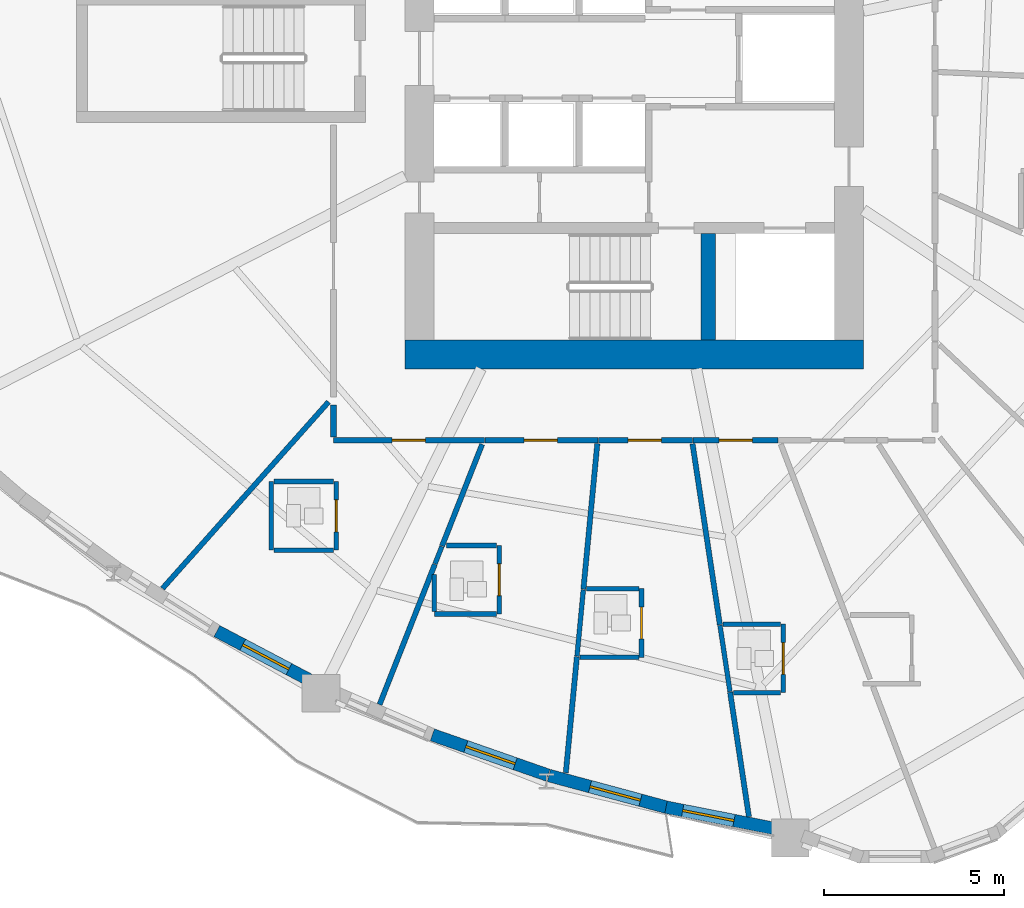
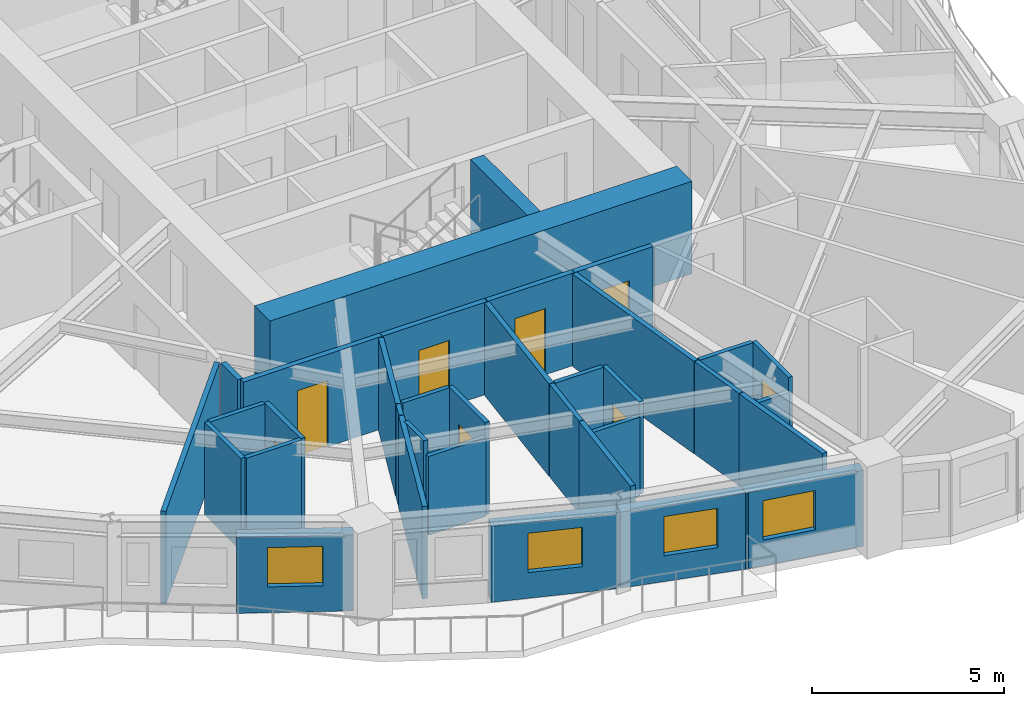
# One storey, part 3 of 14: 35 walls, 8 doors, 4 windows, 12 openings.
"""IFC4 building model written with IfcOpenShell, lengths in metres."""

from ifc_helpers import new_model, si_unit, direction, frame, frame_2d, origin, place, context, subcontext, project, spatial, rectangle, extrude, source, transform, mapped, material, layer, layer_set, type_object, element, fill, save


model = new_model("IFC4")

# Units and contexts
model_context = context("Model", 3, precision=1e-05, world=origin(), true_north=direction((0.0, 1.0)))
body_context = subcontext(model_context, "Body", "Model", "MODEL_VIEW")
ifc_project = project(units=[si_unit("LENGTHUNIT", "METRE"), si_unit("AREAUNIT", "SQUARE_METRE"), si_unit("VOLUMEUNIT", "CUBIC_METRE"), si_unit("PLANEANGLEUNIT", "RADIAN"), si_unit("MASSUNIT", "GRAM", prefix="KILO")], contexts=[model_context])

# Site, building, storey
site_placement = place(None, origin())
site = spatial("IfcSite", under=ifc_project, at=site_placement, CompositionType="ELEMENT")
building_placement = place(site_placement, origin())
building = spatial("IfcBuilding", under=site, at=building_placement, Name="Qafzar Sky-Pleat Residences", CompositionType="ELEMENT")
storey_placement = place(building_placement, frame((0.0, 0.0, 20.60009765625)))
storey = spatial("IfcBuildingStorey", under=building, at=storey_placement, Name="L05", CompositionType="ELEMENT", Elevation=20.60009765625)

# Wall, opening, door
ifc_material_1 = material(Name="Acoustic gypsum plasterboard partition", Category="gypsum")
ifc_layer_1 = layer(ifc_material_1, 0.159912109375)
ifc_layer_set_1 = layer_set([ifc_layer_1], Name="Acoustic gypsum plasterboard partition")
wall_type_1 = type_object("IfcWallType", Name="PART-COR-160", PredefinedType="PARTITIONING", material=ifc_layer_set_1)
wall_1_placement = place(storey_placement, frame((26.197021484375, 15.419921875, 0.0), z_axis=(0.0, 0.0, 1.0), x_axis=(-1.0, 0.0, 0.0)))
wall_1 = element("IfcWall", 1, at=wall_1_placement, inside=storey, type_object=wall_type_1, Name="L05 Partition Wall PART-L05-PW-003", PredefinedType="PARTITIONING", context=body_context, shape_type="SweptSolid", body=[
    extrude(rectangle(XDim=4.177001953125, YDim=0.159912109375, at=frame_2d((2.08837890625, 0.0))), origin(), (0.0, 0.0, 1.0), 2.93994140625),
])
opening_1_placement = place(wall_1_placement, frame((1.636474609375, 0.0, 0.0)))
opening_1 = element("IfcOpeningElement", 2, at=opening_1_placement, cuts=wall_1, Name="Opening ID-04", PredefinedType="OPENING", context=body_context, shape_type="SweptSolid", body=[
    extrude(rectangle(XDim=0.919921875, YDim=2.10009765625, at=frame_2d((0.4599609375, 1.050048828125))), frame((0.0, 0.08984375, 0.0), z_axis=(0.0, -1.0, 0.0), x_axis=(1.0, 0.0, 0.0)), (0.0, 0.0, 1.0), 0.179931640625),
])
ifc_material_2 = material(Name="Timber-faced fire door", Category="wood")
door_type_1 = type_object("IfcDoorType", Name="DR-BED-920", OperationType="NOTDEFINED", PredefinedType="DOOR", material=ifc_material_2)
shared_shape_1 = source(origin(), body_context, "Body", "SweptSolid", [
    extrude(rectangle(XDim=0.919921875, YDim=2.10009765625, at=frame_2d((0.4599609375, 1.050048828125))), frame((0.0, 0.02490234375, 0.0), z_axis=(0.0, -1.0, 0.0), x_axis=(1.0, 0.0, 0.0)), (0.0, 0.0, 1.0), 0.050048828125),
])
door_1_placement = place(opening_1_placement, origin())
door_1 = element("IfcDoor", 3, at=door_1_placement, inside=storey, type_object=door_type_1, Name="L05 Co-Living Bedroom 5 Door", OperationType="SINGLE_SWING_RIGHT", OverallHeight=2.10009765625, OverallWidth=0.919921875, PredefinedType="DOOR", context=body_context, shape_type="MappedRepresentation", body=[
    mapped(shared_shape_1, transform((0.0, 0.0, 0.0), x_axis=(1.0, 0.0, 0.0), y_axis=(0.0, 1.0, 0.0), z_axis=(0.0, 0.0, 1.0), scale=1.0)),
])
fill(opening_1, door_1)

wall_2_placement = place(storey_placement, frame((29.35205078125, 15.419921875, 0.0), z_axis=(0.0, 0.0, 1.0), x_axis=(-1.0, 0.0, 0.0)))
wall_2 = element("IfcWall", 4, at=wall_2_placement, inside=storey, type_object=wall_type_1, Name="L05 Partition Wall PART-L05-PW-008", PredefinedType="PARTITIONING", context=body_context, shape_type="SweptSolid", body=[
    extrude(rectangle(XDim=3.14013671875, YDim=0.159912109375, at=frame_2d((1.570068359375, 0.0))), origin(), (0.0, 0.0, 1.0), 2.93994140625),
])
opening_2_placement = place(wall_2_placement, frame((1.133056640625, 0.0, 0.0)))
opening_2 = element("IfcOpeningElement", 5, at=opening_2_placement, cuts=wall_2, Name="Opening ID-04", PredefinedType="OPENING", context=body_context, shape_type="SweptSolid", body=[
    extrude(rectangle(XDim=0.919921875, YDim=2.10009765625, at=frame_2d((0.4599609375, 1.050048828125))), frame((0.0, 0.08984375, 0.0), z_axis=(0.0, -1.0, 0.0), x_axis=(1.0, 0.0, 0.0)), (0.0, 0.0, 1.0), 0.179931640625),
])
door_2_placement = place(opening_2_placement, origin())
door_2 = element("IfcDoor", 6, at=door_2_placement, inside=storey, type_object=door_type_1, Name="L05 Co-Living Bedroom 6 Door", OperationType="SINGLE_SWING_LEFT", OverallHeight=2.10009765625, OverallWidth=0.919921875, PredefinedType="DOOR", context=body_context, shape_type="MappedRepresentation", body=[
    mapped(shared_shape_1, transform((0.0, 0.0, 0.0), x_axis=(1.0, 0.0, 0.0), y_axis=(0.0, 1.0, 0.0), z_axis=(0.0, 0.0, 1.0), scale=1.0)),
])
fill(opening_2, door_2)

wall_3_placement = place(storey_placement, frame((31.965087890625, 15.419921875, 0.0), z_axis=(0.0, 0.0, 1.0), x_axis=(-1.0, 0.0, 0.0)))
wall_3 = element("IfcWall", 7, at=wall_3_placement, inside=storey, type_object=wall_type_1, Name="L05 Partition Wall PART-L05-PW-011", PredefinedType="PARTITIONING", context=body_context, shape_type="SweptSolid", body=[
    extrude(rectangle(XDim=2.59814453125, YDim=0.159912109375, at=frame_2d((1.299072265625, 0.0))), origin(), (0.0, 0.0, 1.0), 2.93994140625),
])
opening_3_placement = place(wall_3_placement, frame((0.861572265625, 0.0, 0.0)))
opening_3 = element("IfcOpeningElement", 8, at=opening_3_placement, cuts=wall_3, Name="Opening ID-04", PredefinedType="OPENING", context=body_context, shape_type="SweptSolid", body=[
    extrude(rectangle(XDim=0.919921875, YDim=2.10009765625, at=frame_2d((0.4599609375, 1.050048828125))), frame((0.0, 0.08984375, 0.0), z_axis=(0.0, -1.0, 0.0), x_axis=(1.0, 0.0, 0.0)), (0.0, 0.0, 1.0), 0.179931640625),
])
door_3_placement = place(opening_3_placement, origin())
door_3 = element("IfcDoor", 9, at=door_3_placement, inside=storey, type_object=door_type_1, Name="L05 Co-Living Bedroom 7 Door", OperationType="SINGLE_SWING_RIGHT", OverallHeight=2.10009765625, OverallWidth=0.919921875, PredefinedType="DOOR", context=body_context, shape_type="MappedRepresentation", body=[
    mapped(shared_shape_1, transform((0.0, 0.0, 0.0), x_axis=(1.0, 0.0, 0.0), y_axis=(0.0, 1.0, 0.0), z_axis=(0.0, 0.0, 1.0), scale=1.0)),
])
fill(opening_3, door_3)

wall_4_placement = place(storey_placement, frame((34.339111328125, 15.419921875, 0.0), z_axis=(0.0, 0.0, 1.0), x_axis=(-1.0, 0.0, 0.0)))
wall_4 = element("IfcWall", 10, at=wall_4_placement, inside=storey, type_object=wall_type_1, Name="L05 Partition Wall PART-L05-PW-014", PredefinedType="PARTITIONING", context=body_context, shape_type="SweptSolid", body=[
    extrude(rectangle(XDim=2.359130859375, YDim=0.159912109375, at=frame_2d((1.1796875, 0.0))), origin(), (0.0, 0.0, 1.0), 2.93994140625),
])
opening_4_placement = place(wall_4_placement, frame((0.718994140625, 0.0, 0.0)))
opening_4 = element("IfcOpeningElement", 11, at=opening_4_placement, cuts=wall_4, Name="Opening ID-04", PredefinedType="OPENING", context=body_context, shape_type="SweptSolid", body=[
    extrude(rectangle(XDim=0.919921875, YDim=2.10009765625, at=frame_2d((0.4599609375, 1.050048828125))), frame((0.0, 0.08984375, 0.0), z_axis=(0.0, -1.0, 0.0), x_axis=(1.0, 0.0, 0.0)), (0.0, 0.0, 1.0), 0.179931640625),
])
door_4_placement = place(opening_4_placement, origin())
door_4 = element("IfcDoor", 12, at=door_4_placement, inside=storey, type_object=door_type_1, Name="L05 Co-Living Bedroom 8 Door", OperationType="SINGLE_SWING_LEFT", OverallHeight=2.10009765625, OverallWidth=0.919921875, PredefinedType="DOOR", context=body_context, shape_type="MappedRepresentation", body=[
    mapped(shared_shape_1, transform((0.0, 0.0, 0.0), x_axis=(1.0, 0.0, 0.0), y_axis=(0.0, 1.0, 0.0), z_axis=(0.0, 0.0, 1.0), scale=1.0)),
])
fill(opening_4, door_4)

# Walls
wall_5_placement = place(storey_placement, frame((22.02001953125, 15.508056640625, 0.0), z_axis=(0.0, 0.0, 1.0), x_axis=(0.0, 1.0, 0.0)))
element("IfcWall", 13, at=wall_5_placement, inside=storey, type_object=wall_type_1, Name="L05 Partition Wall PART-L05-PW-094", PredefinedType="PARTITIONING", context=body_context, shape_type="SweptSolid", body=[
    extrude(rectangle(XDim=0.885986328125, YDim=0.159912109375, at=frame_2d((0.44287109375, 0.0))), origin(), (0.0, 0.0, 1.0), 2.93994140625),
])
ifc_layer_2 = layer(ifc_material_1, 0.14501953125)
ifc_layer_set_2 = layer_set([ifc_layer_2], Name="Acoustic gypsum plasterboard partition")
wall_type_2 = type_object("IfcWallType", Name="PART-UNIT-145", PredefinedType="PARTITIONING", material=ifc_layer_set_2)
wall_6_placement = place(storey_placement, frame((17.28125, 11.312744140625, 0.0), z_axis=(0.0, 0.0, 1.0), x_axis=(0.664782074701, 0.747037343883, 0.0)))
element("IfcWall", 14, at=wall_6_placement, inside=storey, type_object=wall_type_2, Name="L05 Partition Wall PART-L05-PW-047", PredefinedType="PARTITIONING", context=body_context, shape_type="SweptSolid", body=[
    extrude(rectangle(XDim=6.918701171875, YDim=0.14501953125, at=frame_2d((3.45947265625, 0.0))), origin(), (0.0, 0.0, 1.0), 2.93994140625),
])
wall_7_placement = place(storey_placement, frame((31.96484375, 15.3212890625, 0.0), z_axis=(0.0, 0.0, 1.0), x_axis=(0.149541437001, -0.988755459464, 0.0)))
element("IfcWall", 15, at=wall_7_placement, inside=storey, type_object=wall_type_2, Name="L05 Partition Wall PART-L05-PW-049", PredefinedType="PARTITIONING", context=body_context, shape_type="SweptSolid", body=[
    extrude(rectangle(XDim=5.069091796875, YDim=0.14501953125, at=frame_2d((2.53466796875, 0.0))), origin(), (0.0, 0.0, 1.0), 2.93994140625),
])
wall_8_placement = place(storey_placement, frame((23.29541015625, 8.097900390625, 0.0), z_axis=(0.0, 0.0, 1.0), x_axis=(0.366696366135, 0.930340676883, 0.0)))
element("IfcWall", 16, at=wall_8_placement, inside=storey, type_object=wall_type_2, Name="L05 Partition Wall PART-L05-PW-052", PredefinedType="PARTITIONING", context=body_context, shape_type="SweptSolid", body=[
    extrude(rectangle(XDim=4.173828125, YDim=0.14501953125, at=frame_2d((2.0869140625, 0.0))), origin(), (0.0, 0.0, 1.0), 2.93994140625),
])
wall_9_placement = place(storey_placement, frame((28.94189453125, 11.291015625, 0.0), z_axis=(0.0, 0.0, 1.0), x_axis=(0.095244050973, 0.995453952101, 0.0)))
element("IfcWall", 17, at=wall_9_placement, inside=storey, type_object=wall_type_2, Name="L05 Partition Wall PART-L05-PW-053", PredefinedType="PARTITIONING", context=body_context, shape_type="SweptSolid", body=[
    extrude(rectangle(XDim=4.052490234375, YDim=0.14501953125, at=frame_2d((2.0263671875, 0.0))), origin(), (0.0, 0.0, 1.0), 2.93994140625),
])
wall_10_placement = place(storey_placement, frame((33.006103515625, 8.43896484375, 0.0), z_axis=(0.0, 0.0, 1.0), x_axis=(0.149510938207, -0.988760071684, 0.0)))
element("IfcWall", 18, at=wall_10_placement, inside=storey, type_object=wall_type_2, Name="L05 Partition Wall PART-L05-PW-056", PredefinedType="PARTITIONING", context=body_context, shape_type="SweptSolid", body=[
    extrude(rectangle(XDim=3.488037109375, YDim=0.14501953125, at=frame_2d((1.744140625, 0.0))), origin(), (0.0, 0.0, 1.0), 2.93994140625),
])
wall_11_placement = place(storey_placement, frame((28.454833984375, 6.2060546875, 0.0), z_axis=(0.0, 0.0, 1.0), x_axis=(0.095101625286, 0.995467568968, 0.0)))
element("IfcWall", 19, at=wall_11_placement, inside=storey, type_object=wall_type_2, Name="L05 Partition Wall PART-L05-PW-057", PredefinedType="PARTITIONING", context=body_context, shape_type="SweptSolid", body=[
    extrude(rectangle(XDim=3.2294921875, YDim=0.14501953125, at=frame_2d((1.61474609375, 0.0))), origin(), (0.0, 0.0, 1.0), 2.93994140625),
])
wall_12_placement = place(storey_placement, frame((25.02587890625, 12.489990234375, 0.0), z_axis=(0.0, 0.0, 1.0), x_axis=(0.366755134598, 0.930317510985, 0.0)))
element("IfcWall", 20, at=wall_12_placement, inside=storey, type_object=wall_type_2, Name="L05 Partition Wall PART-L05-PW-058", PredefinedType="PARTITIONING", context=body_context, shape_type="SweptSolid", body=[
    extrude(rectangle(XDim=3.02685546875, YDim=0.14501953125, at=frame_2d((1.513427734375, 0.0))), origin(), (0.0, 0.0, 1.0), 2.93994140625),
])

# Wall, opening, door
ifc_material_3 = material(Name="Moisture-resistant gypsum partition", Category="gypsum")
ifc_layer_3 = layer(ifc_material_3, 0.1298828125)
ifc_layer_set_3 = layer_set([ifc_layer_3], Name="Moisture-resistant gypsum partition")
wall_type_3 = type_object("IfcWallType", Name="PART-WET-130", PredefinedType="PARTITIONING", material=ifc_layer_set_3)
wall_13_placement = place(storey_placement, frame((26.611083984375, 10.60498046875, 0.0), z_axis=(0.0, 0.0, 1.0), x_axis=(0.0, 1.0, 0.0)))
wall_13 = element("IfcWall", 21, at=wall_13_placement, inside=storey, type_object=wall_type_3, Name="L05 Partition Wall PART-L05-PW-018", PredefinedType="PARTITIONING", context=body_context, shape_type="SweptSolid", body=[
    extrude(rectangle(XDim=1.89990234375, YDim=0.1298828125, at=frame_2d((0.949951171875, 0.0))), origin(), (0.0, 0.0, 1.0), 2.93994140625),
])
opening_5_placement = place(wall_13_placement, frame((0.510009765625, 0.0, 0.0)))
opening_5 = element("IfcOpeningElement", 22, at=opening_5_placement, cuts=wall_13, Name="Opening ID-07", PredefinedType="OPENING", context=body_context, shape_type="SweptSolid", body=[
    extrude(rectangle(XDim=0.8798828125, YDim=2.050048828125, at=frame_2d((0.43994140625, 1.02490234375))), frame((0.0, 0.074951171875, 0.0), z_axis=(0.0, -1.0, 0.0), x_axis=(1.0, 0.0, 0.0)), (0.0, 0.0, 1.0), 0.14990234375),
])
door_type_2 = type_object("IfcDoorType", Name="DR-WET-880", OperationType="NOTDEFINED", PredefinedType="DOOR", material=ifc_material_2)
shared_shape_2 = source(origin(), body_context, "Body", "SweptSolid", [
    extrude(rectangle(XDim=0.8798828125, YDim=2.050048828125, at=frame_2d((0.43994140625, 1.02490234375))), frame((0.0, 0.02490234375, 0.0), z_axis=(0.0, -1.0, 0.0), x_axis=(1.0, 0.0, 0.0)), (0.0, 0.0, 1.0), 0.050048828125),
])
door_5_placement = place(opening_5_placement, origin())
door_5 = element("IfcDoor", 23, at=door_5_placement, inside=storey, type_object=door_type_2, Name="L05 En-suite Bathroom 6 Door", OperationType="SINGLE_SWING_LEFT", OverallHeight=2.050048828125, OverallWidth=0.8798828125, PredefinedType="DOOR", context=body_context, shape_type="MappedRepresentation", body=[
    mapped(shared_shape_2, transform((0.0, 0.0, 0.0), x_axis=(1.0, 0.0, 0.0), y_axis=(0.0, 1.0, 0.0), z_axis=(0.0, 0.0, 1.0), scale=1.0)),
])
fill(opening_5, door_5)

wall_14_placement = place(storey_placement, frame((34.47705078125, 8.424072265625, 0.0), z_axis=(0.0, 0.0, 1.0), x_axis=(0.0, 1.0, 0.0)))
wall_14 = element("IfcWall", 24, at=wall_14_placement, inside=storey, type_object=wall_type_3, Name="L05 Partition Wall PART-L05-PW-019", PredefinedType="PARTITIONING", context=body_context, shape_type="SweptSolid", body=[
    extrude(rectangle(XDim=1.89990234375, YDim=0.1298828125, at=frame_2d((0.949951171875, 0.0))), origin(), (0.0, 0.0, 1.0), 2.93994140625),
])
opening_6_placement = place(wall_14_placement, frame((0.510009765625, 0.0, 0.0)))
opening_6 = element("IfcOpeningElement", 25, at=opening_6_placement, cuts=wall_14, Name="Opening ID-07", PredefinedType="OPENING", context=body_context, shape_type="SweptSolid", body=[
    extrude(rectangle(XDim=0.8798828125, YDim=2.050048828125, at=frame_2d((0.43994140625, 1.02490234375))), frame((0.0, 0.074951171875, 0.0), z_axis=(0.0, -1.0, 0.0), x_axis=(1.0, 0.0, 0.0)), (0.0, 0.0, 1.0), 0.14990234375),
])
door_6_placement = place(opening_6_placement, origin())
door_6 = element("IfcDoor", 26, at=door_6_placement, inside=storey, type_object=door_type_2, Name="L05 En-suite Bathroom 8 Door", OperationType="SINGLE_SWING_RIGHT", OverallHeight=2.050048828125, OverallWidth=0.8798828125, PredefinedType="DOOR", context=body_context, shape_type="MappedRepresentation", body=[
    mapped(shared_shape_2, transform((0.0, 0.0, 0.0), x_axis=(1.0, 0.0, 0.0), y_axis=(0.0, 1.0, 0.0), z_axis=(0.0, 0.0, 1.0), scale=1.0)),
])
fill(opening_6, door_6)

wall_15_placement = place(storey_placement, frame((22.092041015625, 12.3740234375, 0.0), z_axis=(0.0, 0.0, 1.0), x_axis=(0.0, 1.0, 0.0)))
wall_15 = element("IfcWall", 27, at=wall_15_placement, inside=storey, type_object=wall_type_3, Name="L05 Partition Wall PART-L05-PW-021", PredefinedType="PARTITIONING", context=body_context, shape_type="SweptSolid", body=[
    extrude(rectangle(XDim=1.89990234375, YDim=0.1298828125, at=frame_2d((0.949951171875, 0.0))), origin(), (0.0, 0.0, 1.0), 2.93994140625),
])
opening_7_placement = place(wall_15_placement, frame((0.510009765625, 0.0, 0.0)))
opening_7 = element("IfcOpeningElement", 28, at=opening_7_placement, cuts=wall_15, Name="Opening ID-07", PredefinedType="OPENING", context=body_context, shape_type="SweptSolid", body=[
    extrude(rectangle(XDim=0.8798828125, YDim=2.050048828125, at=frame_2d((0.43994140625, 1.02490234375))), frame((0.0, 0.074951171875, 0.0), z_axis=(0.0, -1.0, 0.0), x_axis=(1.0, 0.0, 0.0)), (0.0, 0.0, 1.0), 0.14990234375),
])
door_7_placement = place(opening_7_placement, origin())
door_7 = element("IfcDoor", 29, at=door_7_placement, inside=storey, type_object=door_type_2, Name="L05 En-suite Bathroom 5 Door", OperationType="SINGLE_SWING_RIGHT", OverallHeight=2.050048828125, OverallWidth=0.8798828125, PredefinedType="DOOR", context=body_context, shape_type="MappedRepresentation", body=[
    mapped(shared_shape_2, transform((0.0, 0.0, 0.0), x_axis=(1.0, 0.0, 0.0), y_axis=(0.0, 1.0, 0.0), z_axis=(0.0, 0.0, 1.0), scale=1.0)),
])
fill(opening_7, door_7)

wall_16_placement = place(storey_placement, frame((30.550048828125, 9.406005859375, 0.0), z_axis=(0.0, 0.0, 1.0), x_axis=(0.0, 1.0, 0.0)))
wall_16 = element("IfcWall", 30, at=wall_16_placement, inside=storey, type_object=wall_type_3, Name="L05 Partition Wall PART-L05-PW-022", PredefinedType="PARTITIONING", context=body_context, shape_type="SweptSolid", body=[
    extrude(rectangle(XDim=1.89990234375, YDim=0.1298828125, at=frame_2d((0.949951171875, 0.0))), origin(), (0.0, 0.0, 1.0), 2.93994140625),
])
opening_8_placement = place(wall_16_placement, frame((0.510009765625, 0.0, 0.0)))
opening_8 = element("IfcOpeningElement", 31, at=opening_8_placement, cuts=wall_16, Name="Opening ID-07", PredefinedType="OPENING", context=body_context, shape_type="SweptSolid", body=[
    extrude(rectangle(XDim=0.8798828125, YDim=2.050048828125, at=frame_2d((0.43994140625, 1.02490234375))), frame((0.0, 0.074951171875, 0.0), z_axis=(0.0, -1.0, 0.0), x_axis=(1.0, 0.0, 0.0)), (0.0, 0.0, 1.0), 0.14990234375),
])
door_8_placement = place(opening_8_placement, origin())
door_8 = element("IfcDoor", 32, at=door_8_placement, inside=storey, type_object=door_type_2, Name="L05 En-suite Bathroom 7 Door", OperationType="SINGLE_SWING_LEFT", OverallHeight=2.050048828125, OverallWidth=0.8798828125, PredefinedType="DOOR", context=body_context, shape_type="MappedRepresentation", body=[
    mapped(shared_shape_2, transform((0.0, 0.0, 0.0), x_axis=(1.0, 0.0, 0.0), y_axis=(0.0, 1.0, 0.0), z_axis=(0.0, 0.0, 1.0), scale=1.0)),
])
fill(opening_8, door_8)

# Walls
wall_17_placement = place(storey_placement, frame((20.2919921875, 12.3740234375, 0.0), z_axis=(0.0, 0.0, 1.0), x_axis=(0.0, 1.0, 0.0)))
element("IfcWall", 33, at=wall_17_placement, inside=storey, type_object=wall_type_3, Name="L05 Partition Wall PART-L05-PW-067", PredefinedType="PARTITIONING", context=body_context, shape_type="SweptSolid", body=[
    extrude(rectangle(XDim=1.89990234375, YDim=0.1298828125, at=frame_2d((0.949951171875, 0.0))), origin(), (0.0, 0.0, 1.0), 2.93994140625),
])
wall_18_placement = place(storey_placement, frame((32.724853515625, 10.294189453125, 0.0), z_axis=(0.0, 0.0, 1.0), x_axis=(0.149533379282, -0.988756678096, 0.0)))
element("IfcWall", 34, at=wall_18_placement, inside=storey, type_object=wall_type_3, Name="L05 Partition Wall PART-L05-PW-069", PredefinedType="PARTITIONING", context=body_context, shape_type="SweptSolid", body=[
    extrude(rectangle(XDim=1.861328125, YDim=0.1298828125, at=frame_2d((0.9306640625, 0.0))), origin(), (0.0, 0.0, 1.0), 2.93994140625),
])
wall_19_placement = place(storey_placement, frame((28.764404296875, 9.435791015625, 0.0), z_axis=(0.0, 0.0, 1.0), x_axis=(0.094821557036, 0.995494285429, 0.0)))
element("IfcWall", 35, at=wall_19_placement, inside=storey, type_object=wall_type_3, Name="L05 Partition Wall PART-L05-PW-070", PredefinedType="PARTITIONING", context=body_context, shape_type="SweptSolid", body=[
    extrude(rectangle(XDim=1.8486328125, YDim=0.1298828125, at=frame_2d((0.92431640625, 0.0))), origin(), (0.0, 0.0, 1.0), 2.93994140625),
])
wall_20_placement = place(storey_placement, frame((24.81103515625, 10.60498046875, 0.0), z_axis=(0.0, 0.0, 1.0), x_axis=(1.0, 0.0, 0.0)))
element("IfcWall", 36, at=wall_20_placement, inside=storey, type_object=wall_type_3, Name="L05 Partition Wall PART-L05-PW-073", PredefinedType="PARTITIONING", context=body_context, shape_type="SweptSolid", body=[
    extrude(rectangle(XDim=1.72705078125, YDim=0.1298828125, at=frame_2d((0.863525390625, 0.0))), origin(), (0.0, 0.0, 1.0), 2.5078125),
])
for number, where, z_axis, x_axis, name in (
    (37, (20.364990234375, 14.27392578125, 0.0), (0.0, 0.0, 1.0), (1.0, 0.0, 0.0), "L05 Partition Wall PART-L05-PW-074"),
    (38, (20.364990234375, 12.3740234375, 0.0), (0.0, 0.0, 1.0), (1.0, 0.0, 0.0), "L05 Partition Wall PART-L05-PW-075"),
):
    element("IfcWall", number, at=place(storey_placement, frame(where, z_axis=z_axis, x_axis=x_axis)), inside=storey, type_object=wall_type_3, Name=name, PredefinedType="PARTITIONING", context=body_context, shape_type="SweptSolid", body=[
        extrude(rectangle(XDim=1.654052734375, YDim=0.1298828125, at=frame_2d((0.8271484375, 0.0))), origin(), (0.0, 0.0, 1.0), 2.93994140625),
    ])
wall_21_placement = place(storey_placement, frame((28.847900390625, 9.406005859375, 0.0), z_axis=(0.0, 0.0, 1.0), x_axis=(1.0, 0.0, 0.0)))
element("IfcWall", 39, at=wall_21_placement, inside=storey, type_object=wall_type_3, Name="L05 Partition Wall PART-L05-PW-079", PredefinedType="PARTITIONING", context=body_context, shape_type="SweptSolid", body=[
    extrude(rectangle(XDim=1.629150390625, YDim=0.1298828125, at=frame_2d((0.814453125, 0.0))), origin(), (0.0, 0.0, 1.0), 2.5078125),
])
wall_22_placement = place(storey_placement, frame((32.812255859375, 10.323974609375, 0.0), z_axis=(0.0, 0.0, 1.0), x_axis=(1.0, 0.0, 0.0)))
element("IfcWall", 40, at=wall_22_placement, inside=storey, type_object=wall_type_3, Name="L05 Partition Wall PART-L05-PW-080", PredefinedType="PARTITIONING", context=body_context, shape_type="SweptSolid", body=[
    extrude(rectangle(XDim=1.591796875, YDim=0.1298828125, at=frame_2d((0.7958984375, 0.0))), origin(), (0.0, 0.0, 1.0), 2.93994140625),
])
wall_23_placement = place(storey_placement, frame((29.030029296875, 11.305908203125, 0.0), z_axis=(0.0, 0.0, 1.0), x_axis=(1.0, 0.0, 0.0)))
element("IfcWall", 41, at=wall_23_placement, inside=storey, type_object=wall_type_3, Name="L05 Partition Wall PART-L05-PW-084", PredefinedType="PARTITIONING", context=body_context, shape_type="SweptSolid", body=[
    extrude(rectangle(XDim=1.447021484375, YDim=0.1298828125, at=frame_2d((0.7236328125, 0.0))), origin(), (0.0, 0.0, 1.0), 2.93994140625),
])
wall_24_placement = place(storey_placement, frame((25.1435546875, 12.5048828125, 0.0), z_axis=(0.0, 0.0, 1.0), x_axis=(1.0, 0.0, 0.0)))
element("IfcWall", 42, at=wall_24_placement, inside=storey, type_object=wall_type_3, Name="L05 Partition Wall PART-L05-PW-085", PredefinedType="PARTITIONING", context=body_context, shape_type="SweptSolid", body=[
    extrude(rectangle(XDim=1.39453125, YDim=0.1298828125, at=frame_2d((0.697265625, 0.0))), origin(), (0.0, 0.0, 1.0), 2.93994140625),
])
wall_25_placement = place(storey_placement, frame((33.09912109375, 8.424072265625, 0.0), z_axis=(0.0, 0.0, 1.0), x_axis=(1.0, 0.0, 0.0)))
element("IfcWall", 43, at=wall_25_placement, inside=storey, type_object=wall_type_3, Name="L05 Partition Wall PART-L05-PW-087", PredefinedType="PARTITIONING", context=body_context, shape_type="SweptSolid", body=[
    extrude(rectangle(XDim=1.304931640625, YDim=0.1298828125, at=frame_2d((0.65234375, 0.0))), origin(), (0.0, 0.0, 1.0), 2.5078125),
])
wall_26_placement = place(storey_placement, frame((24.81103515625, 10.677978515625, 0.0), z_axis=(0.0, 0.0, 1.0), x_axis=(0.0, 1.0, 0.0)))
element("IfcWall", 44, at=wall_26_placement, inside=storey, type_object=wall_type_3, Name="L05 Partition Wall PART-L05-PW-092", PredefinedType="PARTITIONING", context=body_context, shape_type="SweptSolid", body=[
    extrude(rectangle(XDim=1.02490234375, YDim=0.1298828125, at=frame_2d((0.512451171875, 0.0))), origin(), (0.0, 0.0, 1.0), 2.93994140625),
])
wall_27_placement = place(storey_placement, frame((24.831298828125, 11.9951171875, 0.0), z_axis=(0.0, 0.0, 1.0), x_axis=(0.366499739739, 0.93041815372, 0.0)))
element("IfcWall", 45, at=wall_27_placement, inside=storey, type_object=wall_type_3, Name="L05 Partition Wall PART-L05-PW-100", PredefinedType="PARTITIONING", context=body_context, shape_type="SweptSolid", body=[
    extrude(rectangle(XDim=0.516845703125, YDim=0.1298828125, at=frame_2d((0.25830078125, 0.0))), origin(), (0.0, 0.0, 1.0), 2.93994140625),
])

# Wall, opening, window
ifc_material_4 = material(Name="Precast concrete C40/50 with honed Riyadh limestone", Category="concrete")
ifc_layer_4 = layer(ifc_material_4, 0.35009765625)
ifc_layer_set_4 = layer_set([ifc_layer_4], Name="Precast concrete C40/50 with honed Riyadh limestone")
wall_type_4 = type_object("IfcWallType", Name="WALL-EXT-350", PredefinedType="SOLIDWALL", material=ifc_layer_set_4)
wall_28_placement = place(storey_placement, frame((18.78662109375, 10.13134765625, 0.0), z_axis=(0.0, 0.0, 1.0), x_axis=(0.88440307047, -0.466723910834, 0.0)))
wall_28 = element("IfcWall", 46, at=wall_28_placement, inside=storey, type_object=wall_type_4, Name="L05 Limestone Facade Wall 12", PredefinedType="SOLIDWALL", context=body_context, shape_type="SweptSolid", body=[
    extrude(rectangle(XDim=3.056396484375, YDim=0.35009765625, at=frame_2d((1.5283203125, 0.0))), origin(), (0.0, 0.0, 1.0), 2.419921875),
])
opening_9_placement = place(wall_28_placement, frame((0.80810546875, 0.0, 0.820068359375)))
opening_9 = element("IfcOpeningElement", 47, at=opening_9_placement, cuts=wall_28, Name="Opening WN-15", PredefinedType="OPENING", context=body_context, shape_type="SweptSolid", body=[
    extrude(rectangle(XDim=1.449951171875, YDim=1.25, at=frame_2d((0.72509765625, 0.625))), frame((0.0, 0.18505859375, 0.0), z_axis=(0.0, -1.0, 0.0), x_axis=(1.0, 0.0, 0.0)), (0.0, 0.0, 1.0), 0.3701171875),
])
ifc_material_5 = material(Name="Solar-control low-E glass in bronze aluminium frame", Category="glass")
window_type = type_object("IfcWindowType", Name="WIN-15", PartitioningType="SINGLE_PANEL", PredefinedType="WINDOW", material=ifc_material_5)
shared_shape_3 = source(origin(), body_context, "Body", "SweptSolid", [
    extrude(rectangle(XDim=1.449951171875, YDim=1.25, at=frame_2d((0.72509765625, 0.625))), frame((0.0, 0.030029296875, 0.0), z_axis=(0.0, -1.0, 0.0), x_axis=(1.0, 0.0, 0.0)), (0.0, 0.0, 1.0), 0.06005859375),
])
window_1_placement = place(opening_9_placement, origin())
window_1 = element("IfcWindow", 48, at=window_1_placement, inside=storey, type_object=window_type, Name="L05 Punched Facade Window 12", OverallHeight=1.25, OverallWidth=1.449951171875, PartitioningType="SINGLE_PANEL", PredefinedType="WINDOW", context=body_context, shape_type="MappedRepresentation", body=[
    mapped(shared_shape_3, transform((0.0, 0.0, 0.0), x_axis=(1.0, 0.0, 0.0), y_axis=(0.0, 1.0, 0.0), z_axis=(0.0, 0.0, 1.0), scale=1.0)),
])
fill(opening_9, window_1)

wall_29_placement = place(storey_placement, frame((24.756103515625, 7.257080078125, 0.0), z_axis=(0.0, 0.0, 1.0), x_axis=(0.944142925437, -0.329536244361, 0.0)))
wall_29 = element("IfcWall", 49, at=wall_29_placement, inside=storey, type_object=wall_type_4, Name="L05 Limestone Facade Wall 14", PredefinedType="SOLIDWALL", context=body_context, shape_type="SweptSolid", body=[
    extrude(rectangle(XDim=3.39306640625, YDim=0.35009765625, at=frame_2d((1.696533203125, 0.0))), origin(), (0.0, 0.0, 1.0), 2.419921875),
])
opening_10_placement = place(wall_29_placement, frame((0.981689453125, 0.0, 0.820068359375)))
opening_10 = element("IfcOpeningElement", 50, at=opening_10_placement, cuts=wall_29, Name="Opening WN-15", PredefinedType="OPENING", context=body_context, shape_type="SweptSolid", body=[
    extrude(rectangle(XDim=1.449951171875, YDim=1.25, at=frame_2d((0.72509765625, 0.625))), frame((0.0, 0.18505859375, 0.0), z_axis=(0.0, -1.0, 0.0), x_axis=(1.0, 0.0, 0.0)), (0.0, 0.0, 1.0), 0.3701171875),
])
window_2_placement = place(opening_10_placement, origin())
window_2 = element("IfcWindow", 51, at=window_2_placement, inside=storey, type_object=window_type, Name="L05 Punched Facade Window 14", OverallHeight=1.25, OverallWidth=1.449951171875, PartitioningType="SINGLE_PANEL", PredefinedType="WINDOW", context=body_context, shape_type="MappedRepresentation", body=[
    mapped(shared_shape_3, transform((0.0, 0.0, 0.0), x_axis=(1.0, 0.0, 0.0), y_axis=(0.0, 1.0, 0.0), z_axis=(0.0, 0.0, 1.0), scale=1.0)),
])
fill(opening_10, window_2)

wall_30_placement = place(storey_placement, frame((27.98583984375, 6.130615234375, 0.0), z_axis=(0.0, 0.0, 1.0), x_axis=(0.96546113776, -0.2605471003, 0.0)))
wall_30 = element("IfcWall", 52, at=wall_30_placement, inside=storey, type_object=wall_type_4, Name="L05 Limestone Facade Wall 15", PredefinedType="SOLIDWALL", context=body_context, shape_type="SweptSolid", body=[
    extrude(rectangle(XDim=3.44921875, YDim=0.35009765625, at=frame_2d((1.724609375, 0.0))), origin(), (0.0, 0.0, 1.0), 2.419921875),
])
opening_11_placement = place(wall_30_placement, frame((1.1787109375, 0.0, 0.820068359375)))
opening_11 = element("IfcOpeningElement", 53, at=opening_11_placement, cuts=wall_30, Name="Opening WN-15", PredefinedType="OPENING", context=body_context, shape_type="SweptSolid", body=[
    extrude(rectangle(XDim=1.449951171875, YDim=1.25, at=frame_2d((0.72509765625, 0.625))), frame((0.0, 0.18505859375, 0.0), z_axis=(0.0, -1.0, 0.0), x_axis=(1.0, 0.0, 0.0)), (0.0, 0.0, 1.0), 0.3701171875),
])
window_3_placement = place(opening_11_placement, origin())
window_3 = element("IfcWindow", 54, at=window_3_placement, inside=storey, type_object=window_type, Name="L05 Punched Facade Window 15-2", OverallHeight=1.25, OverallWidth=1.449951171875, PartitioningType="SINGLE_PANEL", PredefinedType="WINDOW", context=body_context, shape_type="MappedRepresentation", body=[
    mapped(shared_shape_3, transform((0.0, 0.0, 0.0), x_axis=(1.0, 0.0, 0.0), y_axis=(0.0, 1.0, 0.0), z_axis=(0.0, 0.0, 1.0), scale=1.0)),
])
fill(opening_11, window_3)

wall_31_placement = place(storey_placement, frame((31.230224609375, 5.251953125, 0.0), z_axis=(0.0, 0.0, 1.0), x_axis=(0.981232542219, -0.192828156892, 0.0)))
wall_31 = element("IfcWall", 55, at=wall_31_placement, inside=storey, type_object=wall_type_4, Name="L05 Limestone Facade Wall 16", PredefinedType="SOLIDWALL", context=body_context, shape_type="SweptSolid", body=[
    extrude(rectangle(XDim=3.242431640625, YDim=0.35009765625, at=frame_2d((1.62109375, 0.0))), origin(), (0.0, 0.0, 1.0), 2.419921875),
])
opening_12_placement = place(wall_31_placement, frame((0.470947265625, 0.0, 0.820068359375)))
opening_12 = element("IfcOpeningElement", 56, at=opening_12_placement, cuts=wall_31, Name="Opening WN-15", PredefinedType="OPENING", context=body_context, shape_type="SweptSolid", body=[
    extrude(rectangle(XDim=1.449951171875, YDim=1.25, at=frame_2d((0.72509765625, 0.625))), frame((0.0, 0.18505859375, 0.0), z_axis=(0.0, -1.0, 0.0), x_axis=(1.0, 0.0, 0.0)), (0.0, 0.0, 1.0), 0.3701171875),
])
window_4_placement = place(opening_12_placement, origin())
window_4 = element("IfcWindow", 57, at=window_4_placement, inside=storey, type_object=window_type, Name="L05 Punched Facade Window 16", OverallHeight=1.25, OverallWidth=1.449951171875, PartitioningType="SINGLE_PANEL", PredefinedType="WINDOW", context=body_context, shape_type="MappedRepresentation", body=[
    mapped(shared_shape_3, transform((0.0, 0.0, 0.0), x_axis=(1.0, 0.0, 0.0), y_axis=(0.0, 1.0, 0.0), z_axis=(0.0, 0.0, 1.0), scale=1.0)),
])
fill(opening_12, window_4)

# Walls
ifc_material_6 = material(Name="Concrete C60/75", Category="concrete")
ifc_layer_5 = layer(ifc_material_6, 0.39990234375)
ifc_layer_set_5 = layer_set([ifc_layer_5], Name="Concrete C60/75")
wall_type_5 = type_object("IfcWallType", Name="WALL-SHEAR-400", PredefinedType="SHEAR", material=ifc_layer_set_5)
wall_32_placement = place(storey_placement, frame((32.39990234375, 18.199951171875, 0.0), z_axis=(0.0, 0.0, 1.0), x_axis=(0.0, 1.0, 0.0)))
element("IfcWall", 58, at=wall_32_placement, inside=storey, type_object=wall_type_5, Name="L05 Stair ST1 East Dividing Wall", PredefinedType="SHEAR", context=body_context, shape_type="SweptSolid", body=[
    extrude(rectangle(XDim=2.949951171875, YDim=0.39990234375, at=frame_2d((1.47509765625, 0.0))), origin(), (0.0, 0.0, 1.0), 2.93994140625),
])
ifc_layer_6 = layer(ifc_material_6, 0.800048828125)
ifc_layer_set_6 = layer_set([ifc_layer_6], Name="Concrete C60/75")
wall_type_6 = type_object("IfcWallType", Name="WALL-SHEAR-800", PredefinedType="SHEAR", material=ifc_layer_set_6)
wall_33_placement = place(storey_placement, frame((24.0, 17.800048828125, 0.0), z_axis=(0.0, 0.0, 1.0), x_axis=(1.0, 0.0, 0.0)))
element("IfcWall", 59, at=wall_33_placement, inside=storey, type_object=wall_type_6, Name="L05 CORE wall S", PredefinedType="SHEAR", context=body_context, shape_type="SweptSolid", body=[
    extrude(rectangle(XDim=12.699951171875, YDim=0.800048828125, at=frame_2d((6.35009765625, 0.0))), origin(), (0.0, 0.0, 1.0), 2.93994140625),
])

save(model, "model.ifc")
